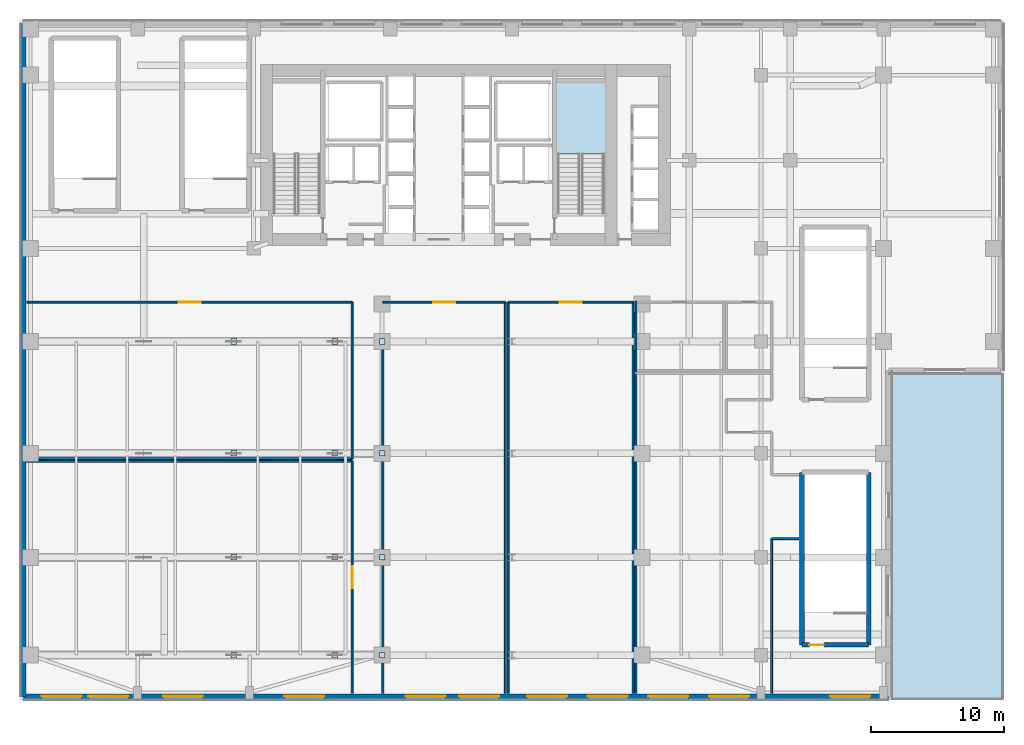
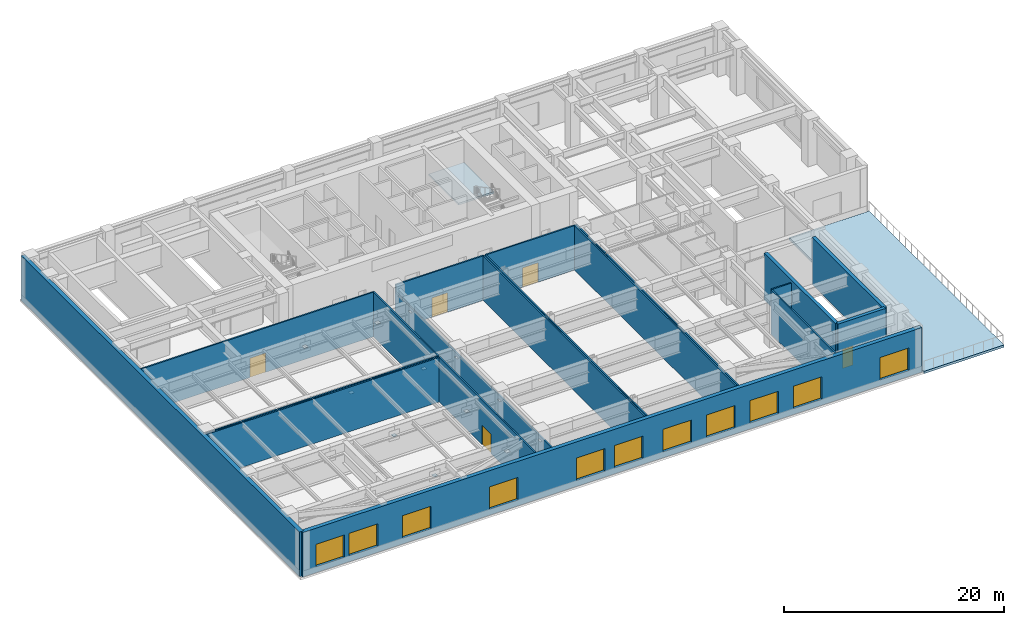
# One storey, part 5 of 14: 20 walls, 12 plates, 11 windows, 5 doors, 2 slabs, 16 openings, 1 element without a shape of its own.
"""IFC4 building model written with IfcOpenShell, lengths in metres."""

import ifcopenshell
import ifcopenshell.guid

model = None  # the IFC model being written
_history = None  # IfcOwnerHistory: only IFC2X3 demands one
_inside = {}  # id of a spatial element -> (the spatial element, [elements in it])
_under = {}  # id of a project, library or spatial element -> (it, [spatial elements below it])
_declared = {}  # id of a project -> (the project, [libraries it declares])
_typed = {}  # id of a type object -> (the type object, [elements of that type])
_made_of = {}  # id of a material, layer set ... -> (it, [elements and type objects made of it])


def new_model(schema):
    """Start an empty IFC model of exactly this schema.

    Asked for "IFC4X3", IfcOpenShell would pick the latest addendum, in which some entities
    have other attributes; the version numbers below select the first issue.
    IFC2X3 requires an IfcOwnerHistory on every rooted entity: one is made here for all.
    """
    global model, _history
    if schema == "IFC4X3":
        model = ifcopenshell.file(schema_version=(4, 3, 0, 0))
    else:
        model = ifcopenshell.file(schema=schema)
    _inside.clear()
    _under.clear()
    _declared.clear()
    _typed.clear()
    _made_of.clear()
    _history = None
    if model.schema == "IFC2X3":
        org = make("IfcOrganization", Name="unknown")
        user = make(
            "IfcPersonAndOrganization",
            ThePerson=make("IfcPerson", FamilyName="unknown"),
            TheOrganization=org,
        )
        app = make(
            "IfcApplication",
            ApplicationDeveloper=org,
            Version="unknown",
            ApplicationFullName="unknown",
            ApplicationIdentifier="unknown",
        )
        _history = make(
            "IfcOwnerHistory",
            OwningUser=user,
            OwningApplication=app,
            ChangeAction="ADDED",
            CreationDate=0,
        )
    return model


def make(cls, **values):
    """One entity of the class cls with the attributes given. An attribute that is None is left unset."""
    return model.create_entity(
        cls, **{name: value for name, value in values.items() if value is not None}
    )


def rooted(cls, **values):
    """An entity with a GlobalId (a new one), such as an element, a storey or a relation."""
    return make(cls, GlobalId=ifcopenshell.guid.new(), OwnerHistory=_history, **values)


def si_unit(unit_type, name, prefix=None):
    """IfcSIUnit, for example si_unit("LENGTHUNIT", "METRE", prefix="MILLI")."""
    return make("IfcSIUnit", UnitType=unit_type, Prefix=prefix, Name=name)


def assignment(units):
    """IfcUnitAssignment: the units of a project."""
    return None if units is None else make("IfcUnitAssignment", Units=units)


def point(xyz):
    """IfcCartesianPoint."""
    return None if xyz is None else make("IfcCartesianPoint", Coordinates=xyz)


def direction(xyz):
    """IfcDirection."""
    return None if xyz is None else make("IfcDirection", DirectionRatios=xyz)


def frame(location, z_axis=None, x_axis=None):
    """IfcAxis2Placement3D, a coordinate frame: its origin and axes. An axis left out is left unset."""
    return make(
        "IfcAxis2Placement3D",
        Location=point(location),
        Axis=direction(z_axis),
        RefDirection=direction(x_axis),
    )


def frame_2d(location, x_axis=None):
    """IfcAxis2Placement2D, a coordinate frame in the plane: its origin and x axis."""
    return make(
        "IfcAxis2Placement2D", Location=point(location), RefDirection=direction(x_axis)
    )


def origin():
    """The frame at (0, 0, 0) with its axes left unset."""
    return frame((0.0, 0.0, 0.0))


def origin_2d():
    """The frame at (0, 0) in the plane with its x axis left unset."""
    return frame_2d((0.0, 0.0))


def place(relative_to, where):
    """IfcLocalPlacement: puts the frame where relative to a parent placement (None: the world)."""
    return make(
        "IfcLocalPlacement", PlacementRelTo=relative_to, RelativePlacement=where
    )


def context(
    kind, dimensions, precision=None, world=None, true_north=None, identifier=None
):
    """IfcGeometricRepresentationContext, for example the 3D "Model" context."""
    return make(
        "IfcGeometricRepresentationContext",
        ContextIdentifier=identifier,
        ContextType=kind,
        CoordinateSpaceDimension=dimensions,
        Precision=precision,
        WorldCoordinateSystem=world,
        TrueNorth=true_north,
    )


def subcontext(parent, identifier, kind, view, scale=None):
    """IfcGeometricRepresentationSubContext, for example "Body" below "Model"."""
    return make(
        "IfcGeometricRepresentationSubContext",
        ContextIdentifier=identifier,
        ContextType=kind,
        ParentContext=parent,
        TargetScale=scale,
        TargetView=view,
    )


def project(units=None, contexts=None):
    """IfcProject with its units and contexts."""
    return rooted(
        "IfcProject",
        Name="project",
        RepresentationContexts=contexts,
        UnitsInContext=assignment(units),
    )


def spatial(cls, under=None, at=None, **own):
    """A site, building, storey or space (cls), placed at a placement, below another one or the project."""
    s = rooted(cls, ObjectPlacement=at, **own)
    if under is not None:
        _under.setdefault(under.id(), (under, []))[1].append(s)
    return s


def polyline(points):
    """IfcPolyline through the points."""
    return make("IfcPolyline", Points=[point(p) for p in points])


def profile(cls, at=None, kind="AREA", **sizes):
    """A parametric profile (cls). Its sizes go by their IFC names, for example OverallWidth=200.0."""
    return make(cls, ProfileType=kind, Position=at, **sizes)


def rectangle(**sizes):
    """IfcRectangleProfileDef."""
    return profile("IfcRectangleProfileDef", **sizes)


def outline(outer, holes=None, kind="AREA"):
    """IfcArbitraryClosedProfileDef: a profile drawn as a closed curve; with holes, ...WithVoids."""
    if holes is None:
        return make("IfcArbitraryClosedProfileDef", ProfileType=kind, OuterCurve=outer)
    return make(
        "IfcArbitraryProfileDefWithVoids",
        ProfileType=kind,
        OuterCurve=outer,
        InnerCurves=holes,
    )


def extrude(swept, where, along, depth):
    """IfcExtrudedAreaSolid: the profile swept, set in the frame where, extruded along a direction by depth."""
    return make(
        "IfcExtrudedAreaSolid",
        SweptArea=swept,
        Position=where,
        ExtrudedDirection=direction(along),
        Depth=depth,
    )


def shape(context_of_items, identifier, shape_type, items):
    """IfcShapeRepresentation: the items that make up one representation, for example the "Body"."""
    return make(
        "IfcShapeRepresentation",
        ContextOfItems=context_of_items,
        RepresentationIdentifier=identifier,
        RepresentationType=shape_type,
        Items=items,
    )


def source(mapping_origin, context_of_items, identifier, shape_type, items):
    """IfcRepresentationMap: a shape defined once, which mapped items show again and again."""
    return make(
        "IfcRepresentationMap",
        MappingOrigin=mapping_origin,
        MappedRepresentation=shape(context_of_items, identifier, shape_type, items),
    )


def transform(
    local_origin,
    x_axis=None,
    y_axis=None,
    z_axis=None,
    scale=None,
    scale2=None,
    scale3=None,
    uniform=True,
):
    """IfcCartesianTransformationOperator3D, or its non-uniform kind. x_axis, y_axis, z_axis: its Axis1, 2, 3."""
    if uniform:
        return make(
            "IfcCartesianTransformationOperator3D",
            Axis1=direction(x_axis),
            Axis2=direction(y_axis),
            LocalOrigin=point(local_origin),
            Scale=scale,
            Axis3=direction(z_axis),
        )
    return make(
        "IfcCartesianTransformationOperator3DnonUniform",
        Axis1=direction(x_axis),
        Axis2=direction(y_axis),
        LocalOrigin=point(local_origin),
        Scale=scale,
        Axis3=direction(z_axis),
        Scale2=scale2,
        Scale3=scale3,
    )


def mapped(mapping_source, mapping_target):
    """IfcMappedItem: shows the shape of a source again, moved by a transform."""
    return make(
        "IfcMappedItem", MappingSource=mapping_source, MappingTarget=mapping_target
    )


def material(Name=None, Category=None):
    """IfcMaterial."""
    return make("IfcMaterial", Name=Name, Category=Category)


def layer(
    of_material, thickness, ventilated=None, Name=None, Category=None, Priority=None
):
    """IfcMaterialLayer: one layer of a wall or slab, of a material (None: an air gap)."""
    return make(
        "IfcMaterialLayer",
        Material=of_material,
        LayerThickness=thickness,
        IsVentilated=ventilated,
        Name=Name,
        Category=Category,
        Priority=Priority,
    )


def layer_set(layers, Name=None):
    """IfcMaterialLayerSet."""
    return make("IfcMaterialLayerSet", MaterialLayers=layers, LayerSetName=Name)


def made_of(thing, what):
    """Note that an element or type object is made of a material, layer set ...; save() writes the relation."""
    if what is not None:
        _made_of.setdefault(what.id(), (what, []))[1].append(thing)
    return thing


def type_object(cls, material=None, **own):
    """A type object (cls), such as IfcWallType, which elements share."""
    return made_of(rooted(cls, **own), material)


def type_shapes(of_type, sources):
    """Give a type object the sources (RepresentationMaps) that its elements show as mapped items."""
    of_type.RepresentationMaps = sources


def element(
    cls,
    number,
    at=None,
    inside=None,
    cuts=None,
    type_object=None,
    material=None,
    context=None,
    identifier="Body",
    shape_type=None,
    held_by="IfcProductDefinitionShape",
    body=None,
    shapes=None,
    **own,
):
    """One element of the class cls, such as IfcWall. Its Tag is "e" and its number.

    at: its placement. inside: the storey or other place that contains it. cuts: it is an
    opening in that element (IfcRelVoidsElement). A single representation is given by context,
    identifier, shape_type and body (its items); several are given by shapes. held_by: the class
    of the entity that holds the representations. save() writes the other relations.
    """
    e = rooted(cls, Tag="e%d" % number, ObjectPlacement=at, **own)
    if body is not None:
        shapes = [shape(context, identifier, shape_type, body)]
    if shapes is not None:
        e.Representation = make(held_by, Representations=shapes)
    if inside is not None:
        _inside.setdefault(inside.id(), (inside, []))[1].append(e)
    if cuts is not None:
        rooted(
            "IfcRelVoidsElement", RelatingBuildingElement=cuts, RelatedOpeningElement=e
        )
    if type_object is not None:
        _typed.setdefault(type_object.id(), (type_object, []))[1].append(e)
    return made_of(e, material)


def fill(opening, filler):
    """IfcRelFillsElement: the door or window that sits in an opening."""
    return rooted(
        "IfcRelFillsElement",
        RelatingOpeningElement=opening,
        RelatedBuildingElement=filler,
    )


def aggregate(whole, parts):
    """IfcRelAggregates: a whole, such as a stair, and the parts it consists of."""
    return rooted("IfcRelAggregates", RelatingObject=whole, RelatedObjects=parts)


def save(model, path):
    """Write the relations noted so far, then the file.

    IfcRelAggregates (storeys below a building ...), IfcRelContainedInSpatialStructure (elements
    in a storey), IfcRelDefinesByType, IfcRelAssociatesMaterial and IfcRelDeclares: one each for
    every whole, place, type object, material and project.
    """
    for whole, parts in _under.values():
        aggregate(whole, parts)
    for where, things in _inside.values():
        rooted(
            "IfcRelContainedInSpatialStructure",
            RelatedElements=things,
            RelatingStructure=where,
        )
    for kind, things in _typed.values():
        rooted("IfcRelDefinesByType", RelatedObjects=things, RelatingType=kind)
    for what, things in _made_of.values():
        rooted("IfcRelAssociatesMaterial", RelatedObjects=things, RelatingMaterial=what)
    for by, libraries in _declared.values():
        rooted("IfcRelDeclares", RelatingContext=by, RelatedDefinitions=libraries)
    model.write(path)


model = new_model("IFC4")

# Units and contexts
model_context = context("Model", 3, precision=1e-05, world=origin(), true_north=direction((0.0, 1.0)))
body_context = subcontext(model_context, "Body", "Model", "MODEL_VIEW")
ifc_project = project(units=[si_unit("LENGTHUNIT", "METRE"), si_unit("AREAUNIT", "SQUARE_METRE"), si_unit("VOLUMEUNIT", "CUBIC_METRE"), si_unit("PLANEANGLEUNIT", "RADIAN"), si_unit("MASSUNIT", "GRAM", prefix="KILO")], contexts=[model_context])

# Site, building, storey
site_placement = place(None, origin())
site = spatial("IfcSite", under=ifc_project, at=site_placement, CompositionType="ELEMENT")
building_placement = place(site_placement, origin())
building = spatial("IfcBuilding", under=site, at=building_placement, Name="Tolvann Quenvar Hotel", CompositionType="ELEMENT")
storey_placement = place(building_placement, frame((0.0, 0.0, 26.800048828125)))
storey = spatial("IfcBuildingStorey", under=building, at=storey_placement, Name="L05", CompositionType="ELEMENT", Elevation=26.800048828125)

# Stair, slab
ifc_material_1 = material(Name="Concrete N40 (40 MPa)", Category="concrete")
stair_type = type_object("IfcStairType", Name="STAIR", PredefinedType="HALF_TURN_STAIR", material=ifc_material_1)
stair_placement = place(storey_placement, origin())
stair = element("IfcStair", 1, at=stair_placement, inside=storey, type_object=stair_type, Name="L05 ST-C2", PredefinedType="HALF_TURN_STAIR")
ifc_layer_1 = layer(ifc_material_1, 0.199951171875)
ifc_layer_set_1 = layer_set([ifc_layer_1], Name="Concrete N40 (40 MPa)")
slab_type_1 = type_object("IfcSlabType", Name="SLAB_LANDING", PredefinedType="LANDING", material=ifc_layer_set_1)
slab_1_placement = place(storey_placement, frame((0.0, 0.0, 2.39990234375)))
slab_1 = element("IfcSlab", 2, at=slab_1_placement, type_object=slab_type_1, Name="ST-C2 landing 1", PredefinedType="LANDING", context=body_context, shape_type="SweptSolid", body=[
    extrude(outline(polyline([(35.530029296875, 38.485107421875), (35.530029296875, 43.8798828125), (31.820068359375, 43.8798828125), (31.820068359375, 38.485107421875), (35.530029296875, 38.485107421875)])), origin(), (0.0, 0.0, 1.0), 0.199951171875),
])
aggregate(stair, [slab_1])

# Slab
ifc_material_2 = material(Name="Concrete N50 (50 MPa)", Category="concrete")
ifc_layer_2 = layer(ifc_material_2, 0.260009765625)
ifc_layer_set_2 = layer_set([ifc_layer_2], Name="Concrete N50 (50 MPa)")
slab_type_2 = type_object("IfcSlabType", Name="SLAB_TER_260", PredefinedType="ROOF", material=ifc_layer_set_2)
slab_2_placement = place(storey_placement, frame((0.0, 0.0, -0.260009765625)))
element("IfcSlab", 3, at=slab_2_placement, inside=storey, type_object=slab_type_2, Name="Podium Spa Roof Terrace", PredefinedType="ROOF", context=body_context, shape_type="SweptSolid", body=[
    extrude(outline(polyline([(57.0, -2.5), (65.39990234375, -2.5), (65.39990234375, 22.0), (57.0, 22.0), (57.0, -2.5)])), origin(), (0.0, 0.0, 1.0), 0.260009765625),
])

# Plates
ifc_material_3 = material(Name="Steel Grade 350", Category="steel")
ifc_layer_3 = layer(ifc_material_3, 0.02490234375)
ifc_layer_set_3 = layer_set([ifc_layer_3], Name="Steel Grade 350")
plate_type = type_object("IfcPlateType", Name="PLT_ENDCAP_25", PredefinedType="SHEET", material=ifc_layer_set_3)
shared_shape_1 = source(origin(), body_context, "Body", "SweptSolid", [
    extrude(rectangle(XDim=0.419921875, YDim=0.419921875, at=origin_2d()), origin(), (0.0, 0.0, 1.0), 0.02490234375),
])
type_shapes(plate_type, [shared_shape_1])
for number, where, z_axis, x_axis, name in (
    (4, (7.60009765625, 0.85009765625, 3.7275390625), (0.0, 0.0, 1.0), (1.0, 0.0, 0.0), "Transfer Seat Plate EC-1 (1-1)"),
    (5, (15.199951171875, 0.85009765625, 3.7275390625), (0.0, 0.0, 1.0), (1.0, 0.0, 0.0), "Transfer Seat Plate EC-1 (1-2)"),
    (6, (18.75, 0.85009765625, 3.7275390625), (0.0, 0.0, 1.0), (1.0, 0.0, 0.0), "Transfer Seat Plate EC-1 (1-3)"),
    (7, (7.60009765625, 8.199951171875, 3.7275390625), (0.0, 0.0, 1.0), (1.0, 0.0, 0.0), "Transfer Seat Plate EC-1 (2-1)"),
    (8, (15.199951171875, 8.199951171875, 3.7275390625), (0.0, 0.0, 1.0), (1.0, 0.0, 0.0), "Transfer Seat Plate EC-1 (2-2)"),
    (9, (18.75, 8.199951171875, 3.7275390625), (0.0, 0.0, 1.0), (1.0, 0.0, 0.0), "Transfer Seat Plate EC-1 (2-3)"),
    (10, (7.60009765625, 16.0, 3.7275390625), (0.0, 0.0, 1.0), (1.0, 0.0, 0.0), "Transfer Seat Plate EC-1 (3-1)"),
    (11, (15.199951171875, 16.0, 3.7275390625), (0.0, 0.0, 1.0), (1.0, 0.0, 0.0), "Transfer Seat Plate EC-1 (3-2)"),
    (12, (18.75, 16.0, 3.7275390625), (0.0, 0.0, 1.0), (1.0, 0.0, 0.0), "Transfer Seat Plate EC-1 (3-3)"),
    (13, (7.60009765625, 24.39990234375, 3.7275390625), (0.0, 0.0, 1.0), (1.0, 0.0, 0.0), "Transfer Seat Plate EC-1 (4-1)"),
    (14, (15.199951171875, 24.39990234375, 3.7275390625), (0.0, 0.0, 1.0), (1.0, 0.0, 0.0), "Transfer Seat Plate EC-1 (4-2)"),
    (15, (18.75, 24.39990234375, 3.7275390625), (0.0, 0.0, 1.0), (1.0, 0.0, 0.0), "Transfer Seat Plate EC-1 (4-3)"),
):
    element("IfcPlate", number, at=place(storey_placement, frame(where, z_axis=z_axis, x_axis=x_axis)), inside=storey, type_object=plate_type, Name=name, PredefinedType="SHEET", context=body_context, shape_type="MappedRepresentation", body=[
        mapped(shared_shape_1, transform((0.0, 0.0, 0.0), x_axis=(1.0, 0.0, 0.0), y_axis=(0.0, 1.0, 0.0), z_axis=(0.0, 0.0, 1.0), scale=1.0)),
    ])

# Wall, opening, door
ifc_material_4 = material(Name="Concrete S65 (65 MPa)", Category="concrete")
ifc_layer_4 = layer(ifc_material_4, 0.35009765625)
ifc_layer_set_4 = layer_set([ifc_layer_4], Name="Concrete S65 (65 MPa)")
wall_type_1 = type_object("IfcWallType", Name="WALL_CORE_INT_350", PredefinedType="SHEAR", material=ifc_layer_set_4)
wall_1_placement = place(storey_placement, frame((50.27490234375, 1.625, 0.0), z_axis=(0.0, 0.0, 1.0), x_axis=(1.0, 0.0, 0.0)))
wall_1 = element("IfcWall", 16, at=wall_1_placement, inside=storey, type_object=wall_type_1, Name="Stairwell ST-P3 Structural Shaft Wall S (L05)", PredefinedType="SHEAR", context=body_context, shape_type="SweptSolid", body=[
    extrude(rectangle(XDim=5.0, YDim=0.35009765625, at=frame_2d((2.5, 0.0))), origin(), (0.0, 0.0, 1.0), 5.199951171875),
])
opening_1_placement = place(wall_1_placement, frame((0.550048828125, 0.0, 0.0)))
opening_1 = element("IfcOpeningElement", 17, at=opening_1_placement, cuts=wall_1, Name="Opening FD-120", PredefinedType="OPENING", context=body_context, shape_type="SweptSolid", body=[
    extrude(rectangle(XDim=1.10009765625, YDim=2.1201171875, at=frame_2d((0.550048828125, 1.06005859375))), frame((0.0, 0.18505859375, 0.0), z_axis=(0.0, -1.0, 0.0), x_axis=(1.0, 0.0, 0.0)), (0.0, 0.0, 1.0), 0.3701171875),
])
ifc_material_5 = material(Name="Pressed galvanised steel fire-rated door set", Category="steel")
door_type_1 = type_object("IfcDoorType", Name="DOOR_FIRE_STAIR_1100", OperationType="NOTDEFINED", PredefinedType="DOOR", material=ifc_material_5)
shared_shape_2 = source(origin(), body_context, "Body", "SweptSolid", [
    extrude(rectangle(XDim=1.10009765625, YDim=2.1201171875, at=frame_2d((0.550048828125, 1.06005859375))), frame((0.0, 0.02490234375, 0.0), z_axis=(0.0, -1.0, 0.0), x_axis=(1.0, 0.0, 0.0)), (0.0, 0.0, 1.0), 0.050048828125),
])
type_shapes(door_type_1, [shared_shape_2])
door_1_placement = place(opening_1_placement, origin())
door_1 = element("IfcDoor", 18, at=door_1_placement, inside=storey, type_object=door_type_1, Name="Exit Stair ST-P3 Fire Door (L05)", OperationType="SINGLE_SWING_LEFT", OverallHeight=2.1201171875, OverallWidth=1.10009765625, PredefinedType="DOOR", context=body_context, shape_type="MappedRepresentation", body=[
    mapped(shared_shape_2, transform((0.0, 0.0, 0.0), x_axis=(1.0, 0.0, 0.0), y_axis=(0.0, 1.0, 0.0), z_axis=(0.0, 0.0, 1.0), scale=1.0)),
])
fill(opening_1, door_1)

# Walls
for number, where, z_axis, x_axis, name in (
    (19, (55.27490234375, 1.625, 0.0), (0.0, 0.0, 1.0), (0.0, 1.0, 0.0), "Stairwell ST-P3 Structural Shaft Wall E (L05)"),
    (20, (50.27490234375, 14.574951171875, 0.0), (0.0, 0.0, 1.0), (0.0, -1.0, 0.0), "Stairwell ST-P3 Structural Shaft Wall W (L05)"),
):
    element("IfcWall", number, at=place(storey_placement, frame(where, z_axis=z_axis, x_axis=x_axis)), inside=storey, type_object=wall_type_1, Name=name, PredefinedType="SHEAR", context=body_context, shape_type="SweptSolid", body=[
        extrude(rectangle(XDim=12.949951171875, YDim=0.35009765625, at=frame_2d((6.47509765625, 0.0))), origin(), (0.0, 0.0, 1.0), 5.199951171875),
    ])
ifc_material_6 = material(Name="Kiln-fired red and buff architectural clay brickwork and terracotta masonry", Category="masonry")
ifc_layer_5 = layer(ifc_material_6, 0.419921875)
ifc_layer_set_5 = layer_set([ifc_layer_5], Name="Kiln-fired red and buff architectural clay brickwork and terracotta masonry")
wall_type_2 = type_object("IfcWallType", Name="WALL_EXT_POD_420", PredefinedType="SOLIDWALL", material=ifc_layer_set_5)
wall_2_placement = place(storey_placement, frame((-8.18994140625, 48.2900390625, 0.0), z_axis=(0.0, 0.0, 1.0), x_axis=(0.0, -1.0, 0.0)))
element("IfcWall", 21, at=wall_2_placement, inside=storey, type_object=wall_type_2, Name="Exterior Chicago Brick Wall L05-E05", PredefinedType="SOLIDWALL", context=body_context, shape_type="SweptSolid", body=[
    extrude(rectangle(XDim=50.580078125, YDim=0.419921875, at=frame_2d((25.2900390625, 0.0))), origin(), (0.0, 0.0, 1.0), 4.93994140625),
])

# Wall, openings, windows
wall_3_placement = place(storey_placement, frame((-8.18994140625, -2.2900390625, 0.0), z_axis=(0.0, 0.0, 1.0), x_axis=(1.0, 0.0, 0.0)))
wall_3 = element("IfcWall", 22, at=wall_3_placement, inside=storey, type_object=wall_type_2, Name="Exterior Chicago Brick Wall L05-E06", PredefinedType="SOLIDWALL", context=body_context, shape_type="SweptSolid", body=[
    extrude(rectangle(XDim=64.97998046875, YDim=0.419921875, at=frame_2d((32.489990234375, 0.0))), origin(), (0.0, 0.0, 1.0), 4.93994140625),
])
opening_2_placement = place(wall_3_placement, frame((1.3779296875, 0.0, 0.64990234375)))
opening_2 = element("IfcOpeningElement", 23, at=opening_2_placement, cuts=wall_3, Name="Opening W-05", PredefinedType="OPENING", context=body_context, shape_type="SweptSolid", body=[
    extrude(rectangle(XDim=3.0, YDim=2.5, at=frame_2d((1.5, 1.25))), frame((0.0, 0.219970703125, 0.0), z_axis=(0.0, -1.0, 0.0), x_axis=(1.0, 0.0, 0.0)), (0.0, 0.0, 1.0), 0.43994140625),
])
opening_3_placement = place(wall_3_placement, frame((4.884033203125, 0.0, 0.64990234375)))
opening_3 = element("IfcOpeningElement", 24, at=opening_3_placement, cuts=wall_3, Name="Opening W-05", PredefinedType="OPENING", context=body_context, shape_type="SweptSolid", body=[
    extrude(rectangle(XDim=3.0, YDim=2.5, at=frame_2d((1.5, 1.25))), frame((0.0, 0.219970703125, 0.0), z_axis=(0.0, -1.0, 0.0), x_axis=(1.0, 0.0, 0.0)), (0.0, 0.0, 1.0), 0.43994140625),
])
opening_4_placement = place(wall_3_placement, frame((10.489013671875, 0.0, 0.64990234375)))
opening_4 = element("IfcOpeningElement", 25, at=opening_4_placement, cuts=wall_3, Name="Opening W-05", PredefinedType="OPENING", context=body_context, shape_type="SweptSolid", body=[
    extrude(rectangle(XDim=3.0, YDim=2.5, at=frame_2d((1.5, 1.25))), frame((0.0, 0.219970703125, 0.0), z_axis=(0.0, -1.0, 0.0), x_axis=(1.0, 0.0, 0.0)), (0.0, 0.0, 1.0), 0.43994140625),
])
opening_5_placement = place(wall_3_placement, frame((19.60107421875, 0.0, 0.64990234375)))
opening_5 = element("IfcOpeningElement", 26, at=opening_5_placement, cuts=wall_3, Name="Opening W-05", PredefinedType="OPENING", context=body_context, shape_type="SweptSolid", body=[
    extrude(rectangle(XDim=3.0, YDim=2.5, at=frame_2d((1.5, 1.25))), frame((0.0, 0.219970703125, 0.0), z_axis=(0.0, -1.0, 0.0), x_axis=(1.0, 0.0, 0.0)), (0.0, 0.0, 1.0), 0.43994140625),
])
opening_6_placement = place(wall_3_placement, frame((28.7119140625, 0.0, 0.64990234375)))
opening_6 = element("IfcOpeningElement", 27, at=opening_6_placement, cuts=wall_3, Name="Opening W-05", PredefinedType="OPENING", context=body_context, shape_type="SweptSolid", body=[
    extrude(rectangle(XDim=3.0, YDim=2.5, at=frame_2d((1.5, 1.25))), frame((0.0, 0.219970703125, 0.0), z_axis=(0.0, -1.0, 0.0), x_axis=(1.0, 0.0, 0.0)), (0.0, 0.0, 1.0), 0.43994140625),
])
opening_7_placement = place(wall_3_placement, frame((32.718017578125, 0.0, 0.64990234375)))
opening_7 = element("IfcOpeningElement", 28, at=opening_7_placement, cuts=wall_3, Name="Opening W-05", PredefinedType="OPENING", context=body_context, shape_type="SweptSolid", body=[
    extrude(rectangle(XDim=3.0, YDim=2.5, at=frame_2d((1.5, 1.25))), frame((0.0, 0.219970703125, 0.0), z_axis=(0.0, -1.0, 0.0), x_axis=(1.0, 0.0, 0.0)), (0.0, 0.0, 1.0), 0.43994140625),
])
opening_8_placement = place(wall_3_placement, frame((37.823974609375, 0.0, 0.64990234375)))
opening_8 = element("IfcOpeningElement", 29, at=opening_8_placement, cuts=wall_3, Name="Opening W-05", PredefinedType="OPENING", context=body_context, shape_type="SweptSolid", body=[
    extrude(rectangle(XDim=3.0, YDim=2.5, at=frame_2d((1.5, 1.25))), frame((0.0, 0.219970703125, 0.0), z_axis=(0.0, -1.0, 0.0), x_axis=(1.0, 0.0, 0.0)), (0.0, 0.0, 1.0), 0.43994140625),
])
opening_9_placement = place(wall_3_placement, frame((42.37890625, 0.0, 0.64990234375)))
opening_9 = element("IfcOpeningElement", 30, at=opening_9_placement, cuts=wall_3, Name="Opening W-05", PredefinedType="OPENING", context=body_context, shape_type="SweptSolid", body=[
    extrude(rectangle(XDim=3.0, YDim=2.5, at=frame_2d((1.5, 1.25))), frame((0.0, 0.219970703125, 0.0), z_axis=(0.0, -1.0, 0.0), x_axis=(1.0, 0.0, 0.0)), (0.0, 0.0, 1.0), 0.43994140625),
])
opening_10_placement = place(wall_3_placement, frame((46.93505859375, 0.0, 0.64990234375)))
opening_10 = element("IfcOpeningElement", 31, at=opening_10_placement, cuts=wall_3, Name="Opening W-05", PredefinedType="OPENING", context=body_context, shape_type="SweptSolid", body=[
    extrude(rectangle(XDim=3.0, YDim=2.5, at=frame_2d((1.5, 1.25))), frame((0.0, 0.219970703125, 0.0), z_axis=(0.0, -1.0, 0.0), x_axis=(1.0, 0.0, 0.0)), (0.0, 0.0, 1.0), 0.43994140625),
])
opening_11_placement = place(wall_3_placement, frame((51.490966796875, 0.0, 0.64990234375)))
opening_11 = element("IfcOpeningElement", 32, at=opening_11_placement, cuts=wall_3, Name="Opening W-05", PredefinedType="OPENING", context=body_context, shape_type="SweptSolid", body=[
    extrude(rectangle(XDim=3.0, YDim=2.5, at=frame_2d((1.5, 1.25))), frame((0.0, 0.219970703125, 0.0), z_axis=(0.0, -1.0, 0.0), x_axis=(1.0, 0.0, 0.0)), (0.0, 0.0, 1.0), 0.43994140625),
])
opening_12_placement = place(wall_3_placement, frame((60.60205078125, 0.0, 0.64990234375)))
opening_12 = element("IfcOpeningElement", 33, at=opening_12_placement, cuts=wall_3, Name="Opening W-05", PredefinedType="OPENING", context=body_context, shape_type="SweptSolid", body=[
    extrude(rectangle(XDim=3.0, YDim=2.5, at=frame_2d((1.5, 1.25))), frame((0.0, 0.219970703125, 0.0), z_axis=(0.0, -1.0, 0.0), x_axis=(1.0, 0.0, 0.0)), (0.0, 0.0, 1.0), 0.43994140625),
])
ifc_material_7 = material(Name="Thermally broken bronze-anodised aluminium frame with double low-E glazing", Category="aluminium")
window_type = type_object("IfcWindowType", Name="WIN_POD_3000x2600", PartitioningType="TRIPLE_PANEL_HORIZONTAL", PredefinedType="WINDOW", material=ifc_material_7)
shared_shape_3 = source(origin(), body_context, "Body", "SweptSolid", [
    extrude(rectangle(XDim=3.0, YDim=2.5, at=frame_2d((1.5, 1.25))), frame((0.0, 0.090087890625, 0.0), z_axis=(0.0, -1.0, 0.0), x_axis=(1.0, 0.0, 0.0)), (0.0, 0.0, 1.0), 0.06005859375),
])
type_shapes(window_type, [shared_shape_3])
window_1_placement = place(opening_2_placement, origin())
window_1 = element("IfcWindow", 34, at=window_1_placement, inside=storey, type_object=window_type, Name="Chicago Window W-05 (EW-L05-E06-W01)", OverallHeight=2.5, OverallWidth=3.0, PartitioningType="TRIPLE_PANEL_HORIZONTAL", PredefinedType="WINDOW", context=body_context, shape_type="MappedRepresentation", body=[
    mapped(shared_shape_3, transform((0.0, 0.0, 0.0), x_axis=(1.0, 0.0, 0.0), y_axis=(0.0, 1.0, 0.0), z_axis=(0.0, 0.0, 1.0), scale=1.0)),
])
fill(opening_2, window_1)
window_2_placement = place(opening_3_placement, origin())
window_2 = element("IfcWindow", 35, at=window_2_placement, inside=storey, type_object=window_type, Name="Chicago Window W-05 (EW-L05-E06-W02)", OverallHeight=2.5, OverallWidth=3.0, PartitioningType="TRIPLE_PANEL_HORIZONTAL", PredefinedType="WINDOW", context=body_context, shape_type="MappedRepresentation", body=[
    mapped(shared_shape_3, transform((0.0, 0.0, 0.0), x_axis=(1.0, 0.0, 0.0), y_axis=(0.0, 1.0, 0.0), z_axis=(0.0, 0.0, 1.0), scale=1.0)),
])
fill(opening_3, window_2)
window_3_placement = place(opening_4_placement, origin())
window_3 = element("IfcWindow", 36, at=window_3_placement, inside=storey, type_object=window_type, Name="Chicago Window W-05 (EW-L05-E06-W03)", OverallHeight=2.5, OverallWidth=3.0, PartitioningType="TRIPLE_PANEL_HORIZONTAL", PredefinedType="WINDOW", context=body_context, shape_type="MappedRepresentation", body=[
    mapped(shared_shape_3, transform((0.0, 0.0, 0.0), x_axis=(1.0, 0.0, 0.0), y_axis=(0.0, 1.0, 0.0), z_axis=(0.0, 0.0, 1.0), scale=1.0)),
])
fill(opening_4, window_3)
window_4_placement = place(opening_5_placement, origin())
window_4 = element("IfcWindow", 37, at=window_4_placement, inside=storey, type_object=window_type, Name="Chicago Window W-05 (EW-L05-E06-W04)", OverallHeight=2.5, OverallWidth=3.0, PartitioningType="TRIPLE_PANEL_HORIZONTAL", PredefinedType="WINDOW", context=body_context, shape_type="MappedRepresentation", body=[
    mapped(shared_shape_3, transform((0.0, 0.0, 0.0), x_axis=(1.0, 0.0, 0.0), y_axis=(0.0, 1.0, 0.0), z_axis=(0.0, 0.0, 1.0), scale=1.0)),
])
fill(opening_5, window_4)
window_5_placement = place(opening_6_placement, origin())
window_5 = element("IfcWindow", 38, at=window_5_placement, inside=storey, type_object=window_type, Name="Chicago Window W-05 (EW-L05-E06-W05)", OverallHeight=2.5, OverallWidth=3.0, PartitioningType="TRIPLE_PANEL_HORIZONTAL", PredefinedType="WINDOW", context=body_context, shape_type="MappedRepresentation", body=[
    mapped(shared_shape_3, transform((0.0, 0.0, 0.0), x_axis=(1.0, 0.0, 0.0), y_axis=(0.0, 1.0, 0.0), z_axis=(0.0, 0.0, 1.0), scale=1.0)),
])
fill(opening_6, window_5)
window_6_placement = place(opening_7_placement, origin())
window_6 = element("IfcWindow", 39, at=window_6_placement, inside=storey, type_object=window_type, Name="Chicago Window W-05 (EW-L05-E06-W06)", OverallHeight=2.5, OverallWidth=3.0, PartitioningType="TRIPLE_PANEL_HORIZONTAL", PredefinedType="WINDOW", context=body_context, shape_type="MappedRepresentation", body=[
    mapped(shared_shape_3, transform((0.0, 0.0, 0.0), x_axis=(1.0, 0.0, 0.0), y_axis=(0.0, 1.0, 0.0), z_axis=(0.0, 0.0, 1.0), scale=1.0)),
])
fill(opening_7, window_6)
window_7_placement = place(opening_8_placement, origin())
window_7 = element("IfcWindow", 40, at=window_7_placement, inside=storey, type_object=window_type, Name="Chicago Window W-05 (EW-L05-E06-W07)", OverallHeight=2.5, OverallWidth=3.0, PartitioningType="TRIPLE_PANEL_HORIZONTAL", PredefinedType="WINDOW", context=body_context, shape_type="MappedRepresentation", body=[
    mapped(shared_shape_3, transform((0.0, 0.0, 0.0), x_axis=(1.0, 0.0, 0.0), y_axis=(0.0, 1.0, 0.0), z_axis=(0.0, 0.0, 1.0), scale=1.0)),
])
fill(opening_8, window_7)
window_8_placement = place(opening_9_placement, origin())
window_8 = element("IfcWindow", 41, at=window_8_placement, inside=storey, type_object=window_type, Name="Chicago Window W-05 (EW-L05-E06-W08)", OverallHeight=2.5, OverallWidth=3.0, PartitioningType="TRIPLE_PANEL_HORIZONTAL", PredefinedType="WINDOW", context=body_context, shape_type="MappedRepresentation", body=[
    mapped(shared_shape_3, transform((0.0, 0.0, 0.0), x_axis=(1.0, 0.0, 0.0), y_axis=(0.0, 1.0, 0.0), z_axis=(0.0, 0.0, 1.0), scale=1.0)),
])
fill(opening_9, window_8)
window_9_placement = place(opening_10_placement, origin())
window_9 = element("IfcWindow", 42, at=window_9_placement, inside=storey, type_object=window_type, Name="Chicago Window W-05 (EW-L05-E06-W09)", OverallHeight=2.5, OverallWidth=3.0, PartitioningType="TRIPLE_PANEL_HORIZONTAL", PredefinedType="WINDOW", context=body_context, shape_type="MappedRepresentation", body=[
    mapped(shared_shape_3, transform((0.0, 0.0, 0.0), x_axis=(1.0, 0.0, 0.0), y_axis=(0.0, 1.0, 0.0), z_axis=(0.0, 0.0, 1.0), scale=1.0)),
])
fill(opening_10, window_9)
window_10_placement = place(opening_11_placement, origin())
window_10 = element("IfcWindow", 43, at=window_10_placement, inside=storey, type_object=window_type, Name="Chicago Window W-05 (EW-L05-E06-W10)", OverallHeight=2.5, OverallWidth=3.0, PartitioningType="TRIPLE_PANEL_HORIZONTAL", PredefinedType="WINDOW", context=body_context, shape_type="MappedRepresentation", body=[
    mapped(shared_shape_3, transform((0.0, 0.0, 0.0), x_axis=(1.0, 0.0, 0.0), y_axis=(0.0, 1.0, 0.0), z_axis=(0.0, 0.0, 1.0), scale=1.0)),
])
fill(opening_11, window_10)
window_11_placement = place(opening_12_placement, origin())
window_11 = element("IfcWindow", 44, at=window_11_placement, inside=storey, type_object=window_type, Name="Chicago Window W-05 (EW-L05-E06-W11)", OverallHeight=2.5, OverallWidth=3.0, PartitioningType="TRIPLE_PANEL_HORIZONTAL", PredefinedType="WINDOW", context=body_context, shape_type="MappedRepresentation", body=[
    mapped(shared_shape_3, transform((0.0, 0.0, 0.0), x_axis=(1.0, 0.0, 0.0), y_axis=(0.0, 1.0, 0.0), z_axis=(0.0, 0.0, 1.0), scale=1.0)),
])
fill(opening_12, window_11)

# Wall
ifc_material_8 = material(Name="Acoustic twin-stud fire-rated gypsum plasterboard partition")
ifc_layer_6 = layer(ifc_material_8, 0.14990234375)
ifc_layer_set_6 = layer_set([ifc_layer_6], Name="Acoustic twin-stud fire-rated gypsum plasterboard partition")
wall_type_3 = type_object("IfcWallType", Name="WALL_PART_SUITE_150", PredefinedType="PARTITIONING", material=ifc_layer_set_6)
wall_4_placement = place(storey_placement, frame((-7.925048828125, 15.39990234375, 0.0), z_axis=(0.0, 0.0, 1.0), x_axis=(1.0, 0.0, 0.0)))
element("IfcWall", 45, at=wall_4_placement, inside=storey, type_object=wall_type_3, Name="Interior Partition PT-SPC-L05-POOL-N", PredefinedType="PARTITIONING", context=body_context, shape_type="SweptSolid", body=[
    extrude(rectangle(XDim=24.425048828125, YDim=0.14990234375, at=frame_2d((12.21240234375, 0.0))), origin(), (0.0, 0.0, 1.0), 4.93994140625),
])

# Wall, opening, door
wall_5_placement = place(storey_placement, frame((16.5, -2.02490234375, 0.0), z_axis=(0.0, 0.0, 1.0), x_axis=(0.0, 1.0, 0.0)))
wall_5 = element("IfcWall", 46, at=wall_5_placement, inside=storey, type_object=wall_type_3, Name="Interior Partition PT-SPC-L05-POOL-E", PredefinedType="PARTITIONING", context=body_context, shape_type="SweptSolid", body=[
    extrude(rectangle(XDim=17.4248046875, YDim=0.14990234375, at=frame_2d((8.71240234375, 0.0))), origin(), (0.0, 0.0, 1.0), 4.93994140625),
])
opening_13_placement = place(wall_5_placement, frame((7.887451171875, 0.0, 0.0)))
opening_13 = element("IfcOpeningElement", 47, at=opening_13_placement, cuts=wall_5, Name="Opening AD-01", PredefinedType="OPENING", context=body_context, shape_type="SweptSolid", body=[
    extrude(rectangle(XDim=1.64990234375, YDim=2.14990234375, at=frame_2d((0.824951171875, 1.074951171875))), frame((0.0, 0.0849609375, 0.0), z_axis=(0.0, -1.0, 0.0), x_axis=(1.0, 0.0, 0.0)), (0.0, 0.0, 1.0), 0.169921875),
])
ifc_material_9 = material(Name="Solid-core American oak acoustic fire door leaf in steel frame", Category="steel")
door_type_2 = type_object("IfcDoorType", Name="DOOR_SALON_1650", OperationType="NOTDEFINED", PredefinedType="DOOR", material=ifc_material_9)
shared_shape_4 = source(origin(), body_context, "Body", "SweptSolid", [
    extrude(rectangle(XDim=1.64990234375, YDim=2.14990234375, at=frame_2d((0.824951171875, 1.074951171875))), frame((0.0, 0.02490234375, 0.0), z_axis=(0.0, -1.0, 0.0), x_axis=(1.0, 0.0, 0.0)), (0.0, 0.0, 1.0), 0.050048828125),
])
type_shapes(door_type_2, [shared_shape_4])
door_2_placement = place(opening_13_placement, origin())
door_2 = element("IfcDoor", 48, at=door_2_placement, inside=storey, type_object=door_type_2, Name="Interior Door DOOR-SPC-L05-POOL", OperationType="DOUBLE_DOOR_SINGLE_SWING", OverallHeight=2.14990234375, OverallWidth=1.64990234375, PredefinedType="DOOR", context=body_context, shape_type="MappedRepresentation", body=[
    mapped(shared_shape_4, transform((0.0, 0.0, 0.0), x_axis=(1.0, 0.0, 0.0), y_axis=(0.0, 1.0, 0.0), z_axis=(0.0, 0.0, 1.0), scale=1.0)),
])
fill(opening_13, door_2)

# Wall
wall_6_placement = place(storey_placement, frame((-7.925048828125, 15.60009765625, 0.0), z_axis=(0.0, 0.0, 1.0), x_axis=(1.0, 0.0, 0.0)))
element("IfcWall", 49, at=wall_6_placement, inside=storey, type_object=wall_type_3, Name="Interior Partition PT-SPC-L05-GYM-S", PredefinedType="PARTITIONING", context=body_context, shape_type="SweptSolid", body=[
    extrude(rectangle(XDim=24.425048828125, YDim=0.14990234375, at=frame_2d((12.21240234375, 0.0))), origin(), (0.0, 0.0, 1.0), 4.93994140625),
])

# Wall, opening, door
wall_7_placement = place(storey_placement, frame((-7.925048828125, 27.35009765625, 0.0), z_axis=(0.0, 0.0, 1.0), x_axis=(1.0, 0.0, 0.0)))
wall_7 = element("IfcWall", 50, at=wall_7_placement, inside=storey, type_object=wall_type_3, Name="Interior Partition PT-SPC-L05-GYM-N", PredefinedType="PARTITIONING", context=body_context, shape_type="SweptSolid", body=[
    extrude(rectangle(XDim=24.425048828125, YDim=0.14990234375, at=frame_2d((12.21240234375, 0.0))), origin(), (0.0, 0.0, 1.0), 4.93994140625),
])
opening_14_placement = place(wall_7_placement, frame((11.387451171875, 0.0, 0.0)))
opening_14 = element("IfcOpeningElement", 51, at=opening_14_placement, cuts=wall_7, Name="Opening AD-01", PredefinedType="OPENING", context=body_context, shape_type="SweptSolid", body=[
    extrude(rectangle(XDim=1.64990234375, YDim=2.14990234375, at=frame_2d((0.824951171875, 1.074951171875))), frame((0.0, 0.0849609375, 0.0), z_axis=(0.0, -1.0, 0.0), x_axis=(1.0, 0.0, 0.0)), (0.0, 0.0, 1.0), 0.169921875),
])
door_3_placement = place(opening_14_placement, origin())
door_3 = element("IfcDoor", 52, at=door_3_placement, inside=storey, type_object=door_type_2, Name="Interior Door DOOR-SPC-L05-GYM", OperationType="DOUBLE_DOOR_SINGLE_SWING", OverallHeight=2.14990234375, OverallWidth=1.64990234375, PredefinedType="DOOR", context=body_context, shape_type="MappedRepresentation", body=[
    mapped(shared_shape_4, transform((0.0, 0.0, 0.0), x_axis=(1.0, 0.0, 0.0), y_axis=(0.0, 1.0, 0.0), z_axis=(0.0, 0.0, 1.0), scale=1.0)),
])
fill(opening_14, door_3)

# Wall
wall_8_placement = place(storey_placement, frame((16.5, 15.60009765625, 0.0), z_axis=(0.0, 0.0, 1.0), x_axis=(0.0, 1.0, 0.0)))
element("IfcWall", 53, at=wall_8_placement, inside=storey, type_object=wall_type_3, Name="Interior Partition PT-SPC-L05-GYM-E", PredefinedType="PARTITIONING", context=body_context, shape_type="SweptSolid", body=[
    extrude(rectangle(XDim=11.75, YDim=0.14990234375, at=frame_2d((5.875, 0.0))), origin(), (0.0, 0.0, 1.0), 4.93994140625),
])

# Wall, opening, door
wall_9_placement = place(storey_placement, frame((18.800048828125, 27.35009765625, 0.0), z_axis=(0.0, 0.0, 1.0), x_axis=(1.0, 0.0, 0.0)))
wall_9 = element("IfcWall", 54, at=wall_9_placement, inside=storey, type_object=wall_type_3, Name="Interior Partition PT-SPC-L05-SPA1-N", PredefinedType="PARTITIONING", context=body_context, shape_type="SweptSolid", body=[
    extrude(rectangle(XDim=9.199951171875, YDim=0.14990234375, at=frame_2d((4.60009765625, 0.0))), origin(), (0.0, 0.0, 1.0), 4.93994140625),
])
opening_15_placement = place(wall_9_placement, frame((3.77490234375, 0.0, 0.0)))
opening_15 = element("IfcOpeningElement", 55, at=opening_15_placement, cuts=wall_9, Name="Opening AD-01", PredefinedType="OPENING", context=body_context, shape_type="SweptSolid", body=[
    extrude(rectangle(XDim=1.64990234375, YDim=2.14990234375, at=frame_2d((0.824951171875, 1.074951171875))), frame((0.0, 0.0849609375, 0.0), z_axis=(0.0, -1.0, 0.0), x_axis=(1.0, 0.0, 0.0)), (0.0, 0.0, 1.0), 0.169921875),
])
door_4_placement = place(opening_15_placement, origin())
door_4 = element("IfcDoor", 56, at=door_4_placement, inside=storey, type_object=door_type_2, Name="Interior Door DOOR-SPC-L05-SPA1", OperationType="DOUBLE_DOOR_SINGLE_SWING", OverallHeight=2.14990234375, OverallWidth=1.64990234375, PredefinedType="DOOR", context=body_context, shape_type="MappedRepresentation", body=[
    mapped(shared_shape_4, transform((0.0, 0.0, 0.0), x_axis=(1.0, 0.0, 0.0), y_axis=(0.0, 1.0, 0.0), z_axis=(0.0, 0.0, 1.0), scale=1.0)),
])
fill(opening_15, door_4)

# Walls
wall_10_placement = place(storey_placement, frame((18.800048828125, -2.02490234375, 0.0), z_axis=(0.0, 0.0, 1.0), x_axis=(0.0, 1.0, 0.0)))
element("IfcWall", 57, at=wall_10_placement, inside=storey, type_object=wall_type_3, Name="Interior Partition PT-SPC-L05-SPA1-W", PredefinedType="PARTITIONING", context=body_context, shape_type="SweptSolid", body=[
    extrude(rectangle(XDim=29.375, YDim=0.14990234375, at=frame_2d((14.6875, 0.0))), origin(), (0.0, 0.0, 1.0), 4.114013671875),
])
wall_11_placement = place(storey_placement, frame((28.0, -2.02490234375, 0.0), z_axis=(0.0, 0.0, 1.0), x_axis=(0.0, 1.0, 0.0)))
element("IfcWall", 58, at=wall_11_placement, inside=storey, type_object=wall_type_3, Name="Interior Partition PT-SPC-L05-SPA1-E", PredefinedType="PARTITIONING", context=body_context, shape_type="SweptSolid", body=[
    extrude(rectangle(XDim=29.375, YDim=0.14990234375, at=frame_2d((14.6875, 0.0))), origin(), (0.0, 0.0, 1.0), 4.93994140625),
])

# Wall, opening, door
wall_12_placement = place(storey_placement, frame((28.199951171875, 27.35009765625, 0.0), z_axis=(0.0, 0.0, 1.0), x_axis=(1.0, 0.0, 0.0)))
wall_12 = element("IfcWall", 59, at=wall_12_placement, inside=storey, type_object=wall_type_3, Name="Interior Partition PT-SPC-L05-SPA2-N", PredefinedType="PARTITIONING", context=body_context, shape_type="SweptSolid", body=[
    extrude(rectangle(XDim=9.400146484375, YDim=0.14990234375, at=frame_2d((4.7001953125, 0.0))), origin(), (0.0, 0.0, 1.0), 4.93994140625),
])
opening_16_placement = place(wall_12_placement, frame((3.875, 0.0, 0.0)))
opening_16 = element("IfcOpeningElement", 60, at=opening_16_placement, cuts=wall_12, Name="Opening AD-01", PredefinedType="OPENING", context=body_context, shape_type="SweptSolid", body=[
    extrude(rectangle(XDim=1.64990234375, YDim=2.14990234375, at=frame_2d((0.824951171875, 1.074951171875))), frame((0.0, 0.0849609375, 0.0), z_axis=(0.0, -1.0, 0.0), x_axis=(1.0, 0.0, 0.0)), (0.0, 0.0, 1.0), 0.169921875),
])
door_5_placement = place(opening_16_placement, origin())
door_5 = element("IfcDoor", 61, at=door_5_placement, inside=storey, type_object=door_type_2, Name="Interior Door DOOR-SPC-L05-SPA2", OperationType="DOUBLE_DOOR_SINGLE_SWING", OverallHeight=2.14990234375, OverallWidth=1.64990234375, PredefinedType="DOOR", context=body_context, shape_type="MappedRepresentation", body=[
    mapped(shared_shape_4, transform((0.0, 0.0, 0.0), x_axis=(1.0, 0.0, 0.0), y_axis=(0.0, 1.0, 0.0), z_axis=(0.0, 0.0, 1.0), scale=1.0)),
])
fill(opening_16, door_5)

# Walls
for number, where, z_axis, x_axis, name in (
    (62, (28.199951171875, -2.02490234375, 0.0), (0.0, 0.0, 1.0), (0.0, 1.0, 0.0), "Interior Partition PT-SPC-L05-SPA2-W"),
    (63, (37.60009765625, -2.02490234375, 0.0), (0.0, 0.0, 1.0), (0.0, 1.0, 0.0), "Interior Partition PT-SPC-L05-SPA2-E"),
):
    element("IfcWall", number, at=place(storey_placement, frame(where, z_axis=z_axis, x_axis=x_axis)), inside=storey, type_object=wall_type_3, Name=name, PredefinedType="PARTITIONING", context=body_context, shape_type="SweptSolid", body=[
        extrude(rectangle(XDim=29.375, YDim=0.14990234375, at=frame_2d((14.6875, 0.0))), origin(), (0.0, 0.0, 1.0), 4.93994140625),
    ])
wall_13_placement = place(storey_placement, frame((48.0, -2.02490234375, 0.0), z_axis=(0.0, 0.0, 1.0), x_axis=(0.0, 1.0, 0.0)))
element("IfcWall", 64, at=wall_13_placement, inside=storey, type_object=wall_type_3, Name="Interior Partition PT-SPC-L05-RELAX-E2", PredefinedType="PARTITIONING", context=body_context, shape_type="SweptSolid", body=[
    extrude(rectangle(XDim=11.625, YDim=0.14990234375, at=frame_2d((5.8125, 0.0))), origin(), (0.0, 0.0, 1.0), 4.93994140625),
])
wall_14_placement = place(storey_placement, frame((48.0, 9.60009765625, 0.0), z_axis=(0.0, 0.0, 1.0), x_axis=(1.0, 0.0, 0.0)))
element("IfcWall", 65, at=wall_14_placement, inside=storey, type_object=wall_type_3, Name="Interior Partition PT-SPC-L05-RELAX-E3", PredefinedType="PARTITIONING", context=body_context, shape_type="SweptSolid", body=[
    extrude(rectangle(XDim=2.044921875, YDim=0.14990234375, at=frame_2d((1.0224609375, 0.0))), origin(), (0.0, 0.0, 1.0), 4.93994140625),
])
wall_15_placement = place(storey_placement, frame((37.800048828125, -2.02490234375, 0.0), z_axis=(0.0, 0.0, 1.0), x_axis=(0.0, 1.0, 0.0)))
element("IfcWall", 66, at=wall_15_placement, inside=storey, type_object=wall_type_3, Name="Interior Partition PT-SPC-L05-RELAX-E12", PredefinedType="PARTITIONING", context=body_context, shape_type="SweptSolid", body=[
    extrude(rectangle(XDim=24.02490234375, YDim=0.14990234375, at=frame_2d((12.012451171875, 0.0))), origin(), (0.0, 0.0, 1.0), 4.93994140625),
])
wall_16_placement = place(storey_placement, frame((37.800048828125, 22.1298828125, 0.0), z_axis=(0.0, 0.0, 1.0), x_axis=(0.0, 1.0, 0.0)))
element("IfcWall", 67, at=wall_16_placement, inside=storey, type_object=wall_type_3, Name="Interior Partition PT-SPC-L05-CHG-W", PredefinedType="PARTITIONING", context=body_context, shape_type="SweptSolid", body=[
    extrude(rectangle(XDim=5.2900390625, YDim=0.14990234375, at=frame_2d((2.64501953125, 0.0))), origin(), (0.0, 0.0, 1.0), 4.93994140625),
])

save(model, "model.ifc")
